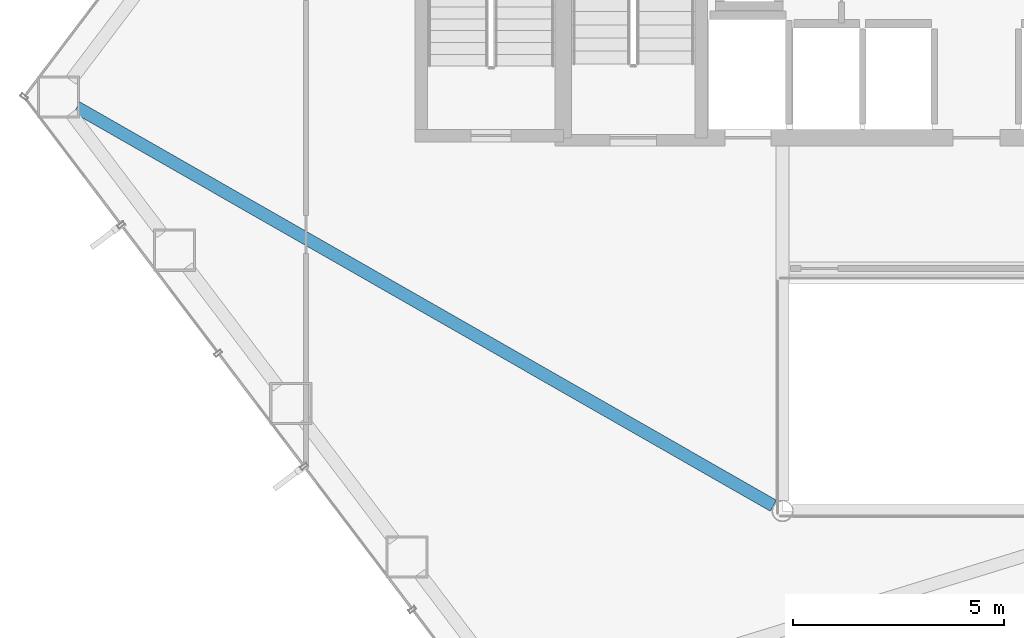
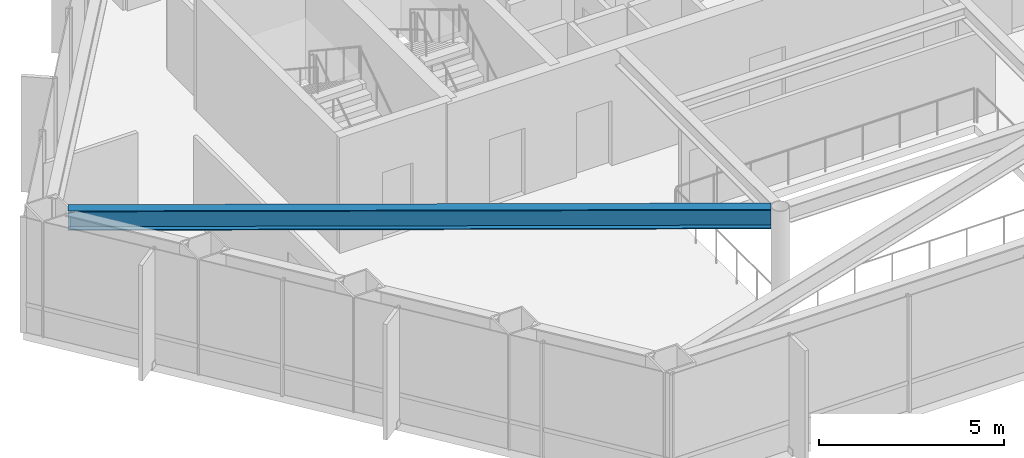
# One storey, part 5 of 25: 1 beam.
"""IFC4 building model written with IfcOpenShell, lengths in metres."""

from ifc_helpers import new_model, si_unit, direction, frame, origin, origin_2d, place, context, subcontext, project, spatial, i_section, extrude, material, material_profile, profile_set, type_object, element, save


model = new_model("IFC4")

# Units and contexts
model_context = context("Model", 3, precision=1e-05, world=origin(), true_north=direction((0.0, 1.0)))
body_context = subcontext(model_context, "Body", "Model", "MODEL_VIEW")
ifc_project = project(units=[si_unit("LENGTHUNIT", "METRE"), si_unit("AREAUNIT", "SQUARE_METRE"), si_unit("VOLUMEUNIT", "CUBIC_METRE"), si_unit("PLANEANGLEUNIT", "RADIAN"), si_unit("MASSUNIT", "GRAM", prefix="KILO")], contexts=[model_context])

# Site, building, storey
site_placement = place(None, origin())
site = spatial("IfcSite", under=ifc_project, at=site_placement, CompositionType="ELEMENT")
building_placement = place(site_placement, origin())
building = spatial("IfcBuilding", under=site, at=building_placement, Name="Zarrinselat Tower", CompositionType="ELEMENT")
storey_placement = place(building_placement, frame((0.0, 0.0, 39.780029296875)))
storey = spatial("IfcBuildingStorey", under=building, at=storey_placement, Name="L09", CompositionType="ELEMENT", Elevation=39.780029296875)

# Beam
ifc_material = material(Name="Steel S355J2", Category="steel")
ifc_material_profile = material_profile(ifc_material, i_section(OverallWidth=0.300048828125, OverallDepth=0.64990234375, WebThickness=0.01611328125, FlangeThickness=0.031005859375, at=origin_2d()), Name="HEB 650")
ifc_profile_set = profile_set([ifc_material_profile], Name="Steel S355J2")
beam_type = type_object("IfcBeamType", Name="BM-HEB650", PredefinedType="BEAM", material=ifc_profile_set)
beam_placement = place(storey_placement, frame((17.06298828125, 33.9716796875, 3.494873046875), z_axis=(0.868073356466, -0.496435945307, 0.0), x_axis=(0.496435945307, 0.868073356466, 0.0)))
element("IfcBeam", 1, at=beam_placement, inside=storey, type_object=beam_type, Name="L09 Radial Primary Girder RG06", PredefinedType="BEAM", context=body_context, shape_type="SweptSolid", body=[
    extrude(i_section(OverallWidth=0.300048828125, OverallDepth=0.64990234375, WebThickness=0.01611328125, FlangeThickness=0.031005859375, at=origin_2d()), origin(), (0.0, 0.0, 1.0), 19.03076171875),
])

save(model, "model.ifc")
